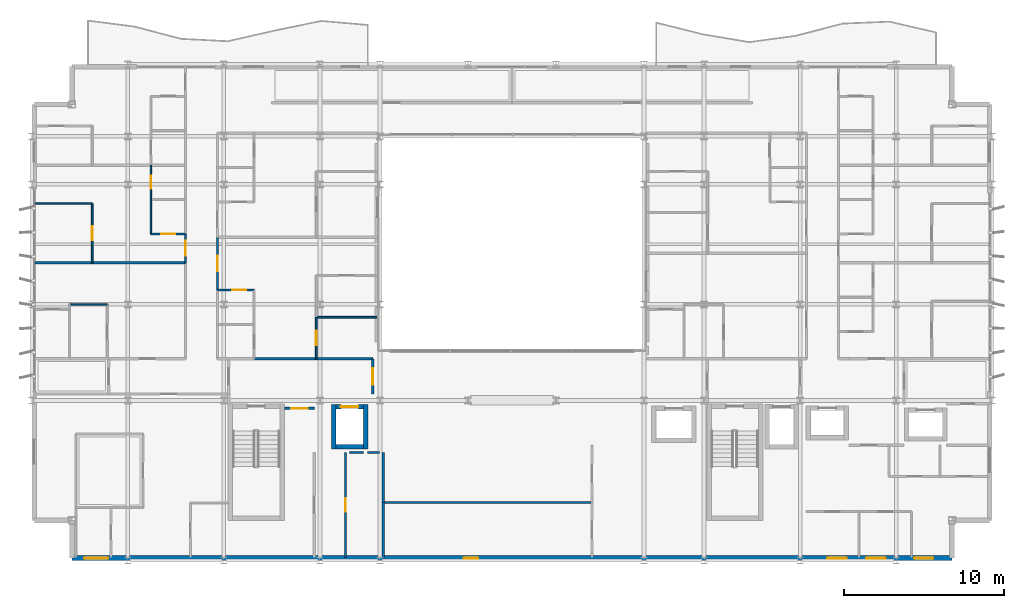
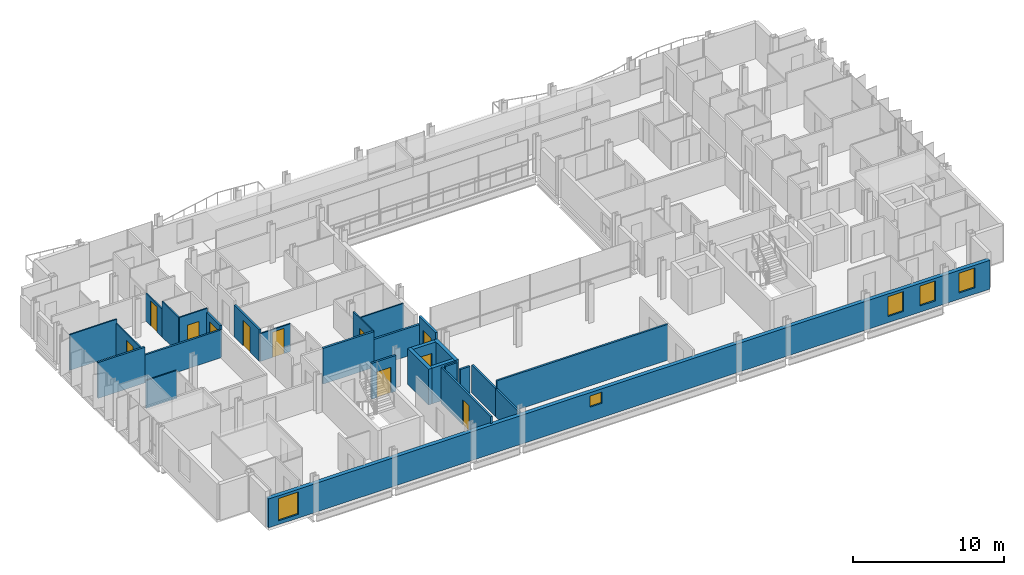
# One storey, part 28 of 39: 28 walls, 11 doors, 5 windows, 16 openings.
"""IFC4 building model written with IfcOpenShell, lengths in metres."""

from ifc_helpers import new_model, si_unit, direction, frame, frame_2d, origin, place, context, subcontext, project, spatial, rectangle, extrude, material, layer, layer_set, type_object, element, fill, save


model = new_model("IFC4")

# Units and contexts
model_context = context("Model", 3, precision=1e-05, world=origin(), true_north=direction((0.0, 1.0)))
body_context = subcontext(model_context, "Body", "Model", "MODEL_VIEW")
ifc_project = project(units=[si_unit("LENGTHUNIT", "METRE"), si_unit("AREAUNIT", "SQUARE_METRE"), si_unit("VOLUMEUNIT", "CUBIC_METRE"), si_unit("PLANEANGLEUNIT", "RADIAN"), si_unit("MASSUNIT", "GRAM", prefix="KILO")], contexts=[model_context])

# Site, building, storey
site_placement = place(None, origin())
site = spatial("IfcSite", under=ifc_project, at=site_placement, CompositionType="ELEMENT")
building_placement = place(site_placement, origin())
building = spatial("IfcBuilding", under=site, at=building_placement, Name="Brevholm Reach", CompositionType="ELEMENT")
storey_placement = place(building_placement, frame((0.0, 0.0, 103.5)))
storey = spatial("IfcBuildingStorey", under=building, at=storey_placement, Name="L30", CompositionType="ELEMENT", Elevation=103.5)

# Walls
ifc_material_1 = material(Name="Concrete C50/60", Category="concrete")
ifc_layer_1 = layer(ifc_material_1, 0.280029296875)
ifc_layer_set_1 = layer_set([ifc_layer_1], Name="Concrete C50/60")
wall_type_1 = type_object("IfcWallType", Name="WAL-COR-280", PredefinedType="SHEAR", material=ifc_layer_set_1)
for number, where, z_axis, x_axis, name in (
    (1, (18.85009765625, 6.9599609375, 0.0), (0.0, 0.0, 1.0), (0.0, 1.0, 0.0), "L30 Lift FFL-1 Shaft Wall W"),
    (2, (20.85009765625, 6.9599609375, 0.0), (0.0, 0.0, 1.0), (0.0, 1.0, 0.0), "L30 Lift FFL-1 Shaft Wall E"),
):
    element("IfcWall", number, at=place(storey_placement, frame(where, z_axis=z_axis, x_axis=x_axis)), inside=storey, type_object=wall_type_1, Name=name, PredefinedType="SHEAR", context=body_context, shape_type="SweptSolid", body=[
        extrude(rectangle(XDim=2.780029296875, YDim=0.280029296875, at=frame_2d((1.39013671875, 0.0))), origin(), (0.0, 0.0, 1.0), 2.8798828125),
    ])
wall_1_placement = place(storey_placement, frame((18.989990234375, 7.10009765625, 0.0), z_axis=(0.0, 0.0, 1.0), x_axis=(1.0, 0.0, 0.0)))
element("IfcWall", 3, at=wall_1_placement, inside=storey, type_object=wall_type_1, Name="L30 Lift FFL-1 Shaft Wall S", PredefinedType="SHEAR", context=body_context, shape_type="SweptSolid", body=[
    extrude(rectangle(XDim=1.719970703125, YDim=0.280029296875, at=frame_2d((0.85986328125, 0.0))), origin(), (0.0, 0.0, 1.0), 2.8798828125),
])

# Wall, opening, door
wall_2_placement = place(storey_placement, frame((18.989990234375, 9.60009765625, 0.0), z_axis=(0.0, 0.0, 1.0), x_axis=(1.0, 0.0, 0.0)))
wall_2 = element("IfcWall", 4, at=wall_2_placement, inside=storey, type_object=wall_type_1, Name="L30 Lift FFL-1 Shaft Wall N", PredefinedType="SHEAR", context=body_context, shape_type="SweptSolid", body=[
    extrude(rectangle(XDim=1.719970703125, YDim=0.280029296875, at=frame_2d((0.85986328125, 0.0))), origin(), (0.0, 0.0, 1.0), 2.8798828125),
])
opening_1_placement = place(wall_2_placement, frame((0.31005859375, 0.0, 0.0)))
opening_1 = element("IfcOpeningElement", 5, at=opening_1_placement, cuts=wall_2, Name="Opening LD-FFL-1", PredefinedType="OPENING", context=body_context, shape_type="SweptSolid", body=[
    extrude(rectangle(XDim=1.10009765625, YDim=2.06005859375, at=frame_2d((0.550048828125, 1.030029296875))), frame((0.0, 0.14990234375, 0.0), z_axis=(0.0, -1.0, 0.0), x_axis=(1.0, 0.0, 0.0)), (0.0, 0.0, 1.0), 0.300048828125),
])
ifc_material_2 = material(Name="Brushed Stainless Steel Fire-Rated Sliding Lift Door", Category="steel")
door_type_1 = type_object("IfcDoorType", Name="DOR-LFT-1100", OperationType="NOTDEFINED", PredefinedType="DOOR", material=ifc_material_2)
door_1_placement = place(opening_1_placement, origin())
door_1 = element("IfcDoor", 6, at=door_1_placement, inside=storey, type_object=door_type_1, Name="L30 Lift FFL-1 Sliding Landing Door", OperationType="SLIDING_TO_RIGHT", OverallHeight=2.06005859375, OverallWidth=1.10009765625, PredefinedType="DOOR", context=body_context, shape_type="SweptSolid", body=[
    extrude(rectangle(XDim=1.10009765625, YDim=2.06005859375, at=frame_2d((0.550048828125, 1.030029296875))), frame((0.0, 0.02490234375, 0.0), z_axis=(0.0, -1.0, 0.0), x_axis=(1.0, 0.0, 0.0)), (0.0, 0.0, 1.0), 0.050048828125),
])
fill(opening_1, door_1)

# Wall, openings, windows
ifc_material_3 = material(Name="Concrete C40/50", Category="concrete")
ifc_layer_2 = layer(ifc_material_3, 0.300048828125)
ifc_layer_set_2 = layer_set([ifc_layer_2], Name="Concrete C40/50")
wall_type_2 = type_object("IfcWallType", Name="WAL-EXT-300", PredefinedType="STANDARD", material=ifc_layer_set_2)
wall_3_placement = place(storey_placement, frame((2.5, 0.14990234375, 0.0), z_axis=(0.0, 0.0, 1.0), x_axis=(1.0, 0.0, 0.0)))
wall_3 = element("IfcWall", 7, at=wall_3_placement, inside=storey, type_object=wall_type_2, Name="L30 Facade Wall WAL-L30-S", PredefinedType="STANDARD", context=body_context, shape_type="SweptSolid", body=[
    extrude(rectangle(XDim=55.0, YDim=0.300048828125, at=frame_2d((27.5, 0.0))), origin(), (0.0, 0.0, 1.0), 2.322021484375),
])
opening_2_placement = place(wall_3_placement, frame((0.76708984375, 0.0, 0.302001953125)))
opening_2 = element("IfcOpeningElement", 8, at=opening_2_placement, cuts=wall_3, Name="Opening WN-05", PredefinedType="OPENING", context=body_context, shape_type="SweptSolid", body=[
    extrude(rectangle(XDim=1.5, YDim=1.800048828125, at=frame_2d((0.75, 0.89990234375))), frame((0.0, 0.159912109375, 0.0), z_axis=(0.0, -1.0, 0.0), x_axis=(1.0, 0.0, 0.0)), (0.0, 0.0, 1.0), 0.320068359375),
])
opening_3_placement = place(wall_3_placement, frame((24.5, 0.0, 1.14990234375)))
opening_3 = element("IfcOpeningElement", 9, at=opening_3_placement, cuts=wall_3, Name="Opening WN-09", PredefinedType="OPENING", context=body_context, shape_type="SweptSolid", body=[
    extrude(rectangle(XDim=0.89990234375, YDim=0.89990234375, at=frame_2d((0.449951171875, 0.449951171875))), frame((0.0, 0.159912109375, 0.0), z_axis=(0.0, -1.0, 0.0), x_axis=(1.0, 0.0, 0.0)), (0.0, 0.0, 1.0), 0.320068359375),
])
opening_4_placement = place(wall_3_placement, frame((47.199951171875, 0.0, 0.501953125)))
opening_4 = element("IfcOpeningElement", 10, at=opening_4_placement, cuts=wall_3, Name="Opening WN-08", PredefinedType="OPENING", context=body_context, shape_type="SweptSolid", body=[
    extrude(rectangle(XDim=1.199951171875, YDim=1.60009765625, at=frame_2d((0.60009765625, 0.800048828125))), frame((0.0, 0.159912109375, 0.0), z_axis=(0.0, -1.0, 0.0), x_axis=(1.0, 0.0, 0.0)), (0.0, 0.0, 1.0), 0.320068359375),
])
opening_5_placement = place(wall_3_placement, frame((52.6298828125, 0.0, 0.501953125)))
opening_5 = element("IfcOpeningElement", 11, at=opening_5_placement, cuts=wall_3, Name="Opening WN-08", PredefinedType="OPENING", context=body_context, shape_type="SweptSolid", body=[
    extrude(rectangle(XDim=1.199951171875, YDim=1.60009765625, at=frame_2d((0.60009765625, 0.800048828125))), frame((0.0, 0.159912109375, 0.0), z_axis=(0.0, -1.0, 0.0), x_axis=(1.0, 0.0, 0.0)), (0.0, 0.0, 1.0), 0.320068359375),
])
opening_6_placement = place(wall_3_placement, frame((49.643310546875, 0.0, 0.501953125)))
opening_6 = element("IfcOpeningElement", 12, at=opening_6_placement, cuts=wall_3, Name="Opening WN-08", PredefinedType="OPENING", context=body_context, shape_type="SweptSolid", body=[
    extrude(rectangle(XDim=1.199951171875, YDim=1.60009765625, at=frame_2d((0.60009765625, 0.800048828125))), frame((0.0, 0.159912109375, 0.0), z_axis=(0.0, -1.0, 0.0), x_axis=(1.0, 0.0, 0.0)), (0.0, 0.0, 1.0), 0.320068359375),
])
ifc_material_4 = material(Name="Dark Anodised Aluminium and Solar-Control IGU Glass", Category="aluminium")
window_type_1 = type_object("IfcWindowType", Name="WIN-POR-0900", PartitioningType="SINGLE_PANEL", PredefinedType="WINDOW", material=ifc_material_4)
window_1_placement = place(opening_3_placement, origin())
window_1 = element("IfcWindow", 13, at=window_1_placement, inside=storey, type_object=window_type_1, Name="L30 Window WIN-L30-S-POR", OverallHeight=0.89990234375, OverallWidth=0.89990234375, PartitioningType="SINGLE_PANEL", PredefinedType="WINDOW", context=body_context, shape_type="SweptSolid", body=[
    extrude(rectangle(XDim=0.89990234375, YDim=0.89990234375, at=frame_2d((0.449951171875, 0.449951171875))), frame((0.0, 0.030029296875, 0.0), z_axis=(0.0, -1.0, 0.0), x_axis=(1.0, 0.0, 0.0)), (0.0, 0.0, 1.0), 0.06005859375),
])
fill(opening_3, window_1)
ifc_material_5 = material(Name="Dark Anodised Aluminium and Solar-Control IGU Glass", Category="aluminium")
window_type_2 = type_object("IfcWindowType", Name="WIN-RES-1200", PartitioningType="SINGLE_PANEL", PredefinedType="WINDOW", material=ifc_material_5)
window_2_placement = place(opening_4_placement, origin())
window_2 = element("IfcWindow", 14, at=window_2_placement, inside=storey, type_object=window_type_2, Name="L30 Window WIN-L30-S-E1", OverallHeight=1.60009765625, OverallWidth=1.199951171875, PartitioningType="SINGLE_PANEL", PredefinedType="WINDOW", context=body_context, shape_type="SweptSolid", body=[
    extrude(rectangle(XDim=1.199951171875, YDim=1.60009765625, at=frame_2d((0.60009765625, 0.800048828125))), frame((0.0, 0.030029296875, 0.0), z_axis=(0.0, -1.0, 0.0), x_axis=(1.0, 0.0, 0.0)), (0.0, 0.0, 1.0), 0.06005859375),
])
fill(opening_4, window_2)
window_3_placement = place(opening_5_placement, origin())
window_3 = element("IfcWindow", 15, at=window_3_placement, inside=storey, type_object=window_type_2, Name="L30 Window WIN-L30-S-E2", OverallHeight=1.60009765625, OverallWidth=1.199951171875, PartitioningType="SINGLE_PANEL", PredefinedType="WINDOW", context=body_context, shape_type="SweptSolid", body=[
    extrude(rectangle(XDim=1.199951171875, YDim=1.60009765625, at=frame_2d((0.60009765625, 0.800048828125))), frame((0.0, 0.030029296875, 0.0), z_axis=(0.0, -1.0, 0.0), x_axis=(1.0, 0.0, 0.0)), (0.0, 0.0, 1.0), 0.06005859375),
])
fill(opening_5, window_3)
window_4_placement = place(opening_6_placement, origin())
window_4 = element("IfcWindow", 16, at=window_4_placement, inside=storey, type_object=window_type_2, Name="L30 Bedroom Window 033", OverallHeight=1.60009765625, OverallWidth=1.199951171875, PartitioningType="SINGLE_PANEL", PredefinedType="WINDOW", context=body_context, shape_type="SweptSolid", body=[
    extrude(rectangle(XDim=1.199951171875, YDim=1.60009765625, at=frame_2d((0.60009765625, 0.800048828125))), frame((0.0, 0.030029296875, 0.0), z_axis=(0.0, -1.0, 0.0), x_axis=(1.0, 0.0, 0.0)), (0.0, 0.0, 1.0), 0.06005859375),
])
fill(opening_6, window_4)
ifc_material_6 = material(Name="Dark Anodised Aluminium and Solar-Control IGU Glass", Category="aluminium")
window_type_3 = type_object("IfcWindowType", Name="WIN-RES-1500", PartitioningType="SINGLE_PANEL", PredefinedType="WINDOW", material=ifc_material_6)
window_5_placement = place(opening_2_placement, origin())
window_5 = element("IfcWindow", 17, at=window_5_placement, inside=storey, type_object=window_type_3, Name="L30 Window WIN-L30-S-W1", OverallHeight=1.800048828125, OverallWidth=1.5, PartitioningType="SINGLE_PANEL", PredefinedType="WINDOW", context=body_context, shape_type="SweptSolid", body=[
    extrude(rectangle(XDim=1.5, YDim=1.800048828125, at=frame_2d((0.75, 0.89990234375))), frame((0.0, 0.030029296875, 0.0), z_axis=(0.0, -1.0, 0.0), x_axis=(1.0, 0.0, 0.0)), (0.0, 0.0, 1.0), 0.06005859375),
])
fill(opening_2, window_5)

# Wall
ifc_material_7 = material(Name="Moisture-Resistant Acoustic Gypsum Stud Partition 100 mm", Category="gypsum")
ifc_layer_3 = layer(ifc_material_7, 0.10009765625)
ifc_layer_set_3 = layer_set([ifc_layer_3], Name="Moisture-Resistant Acoustic Gypsum Stud Partition 100 mm")
wall_type_3 = type_object("IfcWallType", Name="WAL-PRT-100", PredefinedType="PARTITIONING", material=ifc_layer_set_3)
wall_4_placement = place(storey_placement, frame((2.362060546875, 16.0, 0.0), z_axis=(0.0, 0.0, 1.0), x_axis=(1.0, 0.0, 0.0)))
element("IfcWall", 18, at=wall_4_placement, inside=storey, type_object=wall_type_3, Name="L30 Internal Partition 090", PredefinedType="PARTITIONING", context=body_context, shape_type="SweptSolid", body=[
    extrude(rectangle(XDim=2.349853515625, YDim=0.10009765625, at=frame_2d((1.1748046875, 0.0))), origin(), (0.0, 0.0, 1.0), 2.242919921875),
])

# Wall, opening, door
wall_5_placement = place(storey_placement, frame((7.43798828125, 22.550048828125, 0.0), z_axis=(0.0, 0.0, 1.0), x_axis=(0.0, 1.0, 0.0)))
wall_5 = element("IfcWall", 19, at=wall_5_placement, inside=storey, type_object=wall_type_3, Name="L30 Internal Partition 095", PredefinedType="PARTITIONING", context=body_context, shape_type="SweptSolid", body=[
    extrude(rectangle(XDim=2.14990234375, YDim=0.10009765625, at=frame_2d((1.074951171875, 0.0))), origin(), (0.0, 0.0, 1.0), 2.242919921875),
])
opening_7_placement = place(wall_5_placement, frame((0.6650390625, 0.0, 0.0)))
opening_7 = element("IfcOpeningElement", 20, at=opening_7_placement, cuts=wall_5, Name="Opening ID-03", PredefinedType="OPENING", context=body_context, shape_type="SweptSolid", body=[
    extrude(rectangle(XDim=0.820068359375, YDim=2.02001953125, at=frame_2d((0.41015625, 1.010009765625))), frame((0.0, 0.06005859375, 0.0), z_axis=(0.0, -1.0, 0.0), x_axis=(1.0, 0.0, 0.0)), (0.0, 0.0, 1.0), 0.1201171875),
])
ifc_material_8 = material(Name="Moisture-Resistant Painted Timber Internal Bathroom Door", Category="wood")
door_type_2 = type_object("IfcDoorType", Name="DOR-BATH-820", OperationType="NOTDEFINED", PredefinedType="DOOR", material=ifc_material_8)
door_2_placement = place(opening_7_placement, origin())
door_2 = element("IfcDoor", 21, at=door_2_placement, inside=storey, type_object=door_type_2, Name="L30 Internal Door 034", OperationType="SINGLE_SWING_RIGHT", OverallHeight=2.02001953125, OverallWidth=0.820068359375, PredefinedType="DOOR", context=body_context, shape_type="SweptSolid", body=[
    extrude(rectangle(XDim=0.820068359375, YDim=2.02001953125, at=frame_2d((0.41015625, 1.010009765625))), frame((0.0, 0.02490234375, 0.0), z_axis=(0.0, -1.0, 0.0), x_axis=(1.0, 0.0, 0.0)), (0.0, 0.0, 1.0), 0.050048828125),
])
fill(opening_7, door_2)

wall_6_placement = place(storey_placement, frame((7.43798828125, 20.39990234375, 0.0), z_axis=(0.0, 0.0, 1.0), x_axis=(1.0, 0.0, 0.0)))
wall_6 = element("IfcWall", 22, at=wall_6_placement, inside=storey, type_object=wall_type_3, Name="L30 Internal Partition 097", PredefinedType="PARTITIONING", context=body_context, shape_type="SweptSolid", body=[
    extrude(rectangle(XDim=2.157958984375, YDim=0.10009765625, at=frame_2d((1.0791015625, 0.0))), origin(), (0.0, 0.0, 1.0), 2.8798828125),
])
opening_8_placement = place(wall_6_placement, frame((0.638916015625, 0.0, 0.0)))
opening_8 = element("IfcOpeningElement", 23, at=opening_8_placement, cuts=wall_6, Name="Opening ID-01", PredefinedType="OPENING", context=body_context, shape_type="SweptSolid", body=[
    extrude(rectangle(XDim=0.8798828125, YDim=2.0400390625, at=frame_2d((0.43994140625, 1.02001953125))), frame((0.0, 0.06005859375, 0.0), z_axis=(0.0, -1.0, 0.0), x_axis=(1.0, 0.0, 0.0)), (0.0, 0.0, 1.0), 0.1201171875),
])
ifc_material_9 = material(Name="Lacquered Ash Solid-Core Acoustic Internal Door", Category="timber")
door_type_3 = type_object("IfcDoorType", Name="DOR-INT-880", OperationType="NOTDEFINED", PredefinedType="DOOR", material=ifc_material_9)
door_3_placement = place(opening_8_placement, origin())
door_3 = element("IfcDoor", 24, at=door_3_placement, inside=storey, type_object=door_type_3, Name="L30 Internal Door 035", OperationType="SINGLE_SWING_LEFT", OverallHeight=2.0400390625, OverallWidth=0.8798828125, PredefinedType="DOOR", context=body_context, shape_type="SweptSolid", body=[
    extrude(rectangle(XDim=0.8798828125, YDim=2.0400390625, at=frame_2d((0.43994140625, 1.02001953125))), frame((0.0, 0.02490234375, 0.0), z_axis=(0.0, -1.0, 0.0), x_axis=(1.0, 0.0, 0.0)), (0.0, 0.0, 1.0), 0.050048828125),
])
fill(opening_8, door_3)

# Wall
wall_7_placement = place(storey_placement, frame((7.43798828125, 20.39990234375, 0.0), z_axis=(0.0, 0.0, 1.0), x_axis=(0.0, 1.0, 0.0)))
element("IfcWall", 25, at=wall_7_placement, inside=storey, type_object=wall_type_3, Name="L30 Internal Partition 098", PredefinedType="PARTITIONING", context=body_context, shape_type="SweptSolid", body=[
    extrude(rectangle(XDim=2.14599609375, YDim=0.10009765625, at=frame_2d((1.072998046875, 0.0))), origin(), (0.0, 0.0, 1.0), 2.8798828125),
])

# Wall, opening, door
wall_8_placement = place(storey_placement, frame((3.77197265625, 18.60400390625, 0.0), z_axis=(0.0, 0.0, 1.0), x_axis=(0.0, 1.0, 0.0)))
wall_8 = element("IfcWall", 26, at=wall_8_placement, inside=storey, type_object=wall_type_3, Name="L30 Internal Partition 099", PredefinedType="PARTITIONING", context=body_context, shape_type="SweptSolid", body=[
    extrude(rectangle(XDim=3.696044921875, YDim=0.10009765625, at=frame_2d((1.84814453125, 0.0))), origin(), (0.0, 0.0, 1.0), 2.551513671875),
])
opening_9_placement = place(wall_8_placement, frame((1.407958984375, 0.0, 0.0)))
opening_9 = element("IfcOpeningElement", 27, at=opening_9_placement, cuts=wall_8, Name="Opening ID-01", PredefinedType="OPENING", context=body_context, shape_type="SweptSolid", body=[
    extrude(rectangle(XDim=0.8798828125, YDim=2.0400390625, at=frame_2d((0.43994140625, 1.02001953125))), frame((0.0, 0.06005859375, 0.0), z_axis=(0.0, -1.0, 0.0), x_axis=(1.0, 0.0, 0.0)), (0.0, 0.0, 1.0), 0.1201171875),
])
door_4_placement = place(opening_9_placement, origin())
door_4 = element("IfcDoor", 28, at=door_4_placement, inside=storey, type_object=door_type_3, Name="L30 Internal Door 036", OperationType="SINGLE_SWING_RIGHT", OverallHeight=2.0400390625, OverallWidth=0.8798828125, PredefinedType="DOOR", context=body_context, shape_type="SweptSolid", body=[
    extrude(rectangle(XDim=0.8798828125, YDim=2.0400390625, at=frame_2d((0.43994140625, 1.02001953125))), frame((0.0, 0.02490234375, 0.0), z_axis=(0.0, -1.0, 0.0), x_axis=(1.0, 0.0, 0.0)), (0.0, 0.0, 1.0), 0.050048828125),
])
fill(opening_9, door_4)

# Wall
wall_9_placement = place(storey_placement, frame((0.199951171875, 22.300048828125, 0.0), z_axis=(0.0, 0.0, 1.0), x_axis=(1.0, 0.0, 0.0)))
element("IfcWall", 29, at=wall_9_placement, inside=storey, type_object=wall_type_3, Name="L30 Internal Partition 100", PredefinedType="PARTITIONING", context=body_context, shape_type="SweptSolid", body=[
    extrude(rectangle(XDim=3.572021484375, YDim=0.10009765625, at=frame_2d((1.7861328125, 0.0))), origin(), (0.0, 0.0, 1.0), 2.8798828125),
])

# Wall, opening, door
wall_10_placement = place(storey_placement, frame((11.60400390625, 16.89990234375, 0.0), z_axis=(0.0, 0.0, 1.0), x_axis=(1.0, 0.0, 0.0)))
wall_10 = element("IfcWall", 30, at=wall_10_placement, inside=storey, type_object=wall_type_3, Name="L30 Internal Partition 112", PredefinedType="PARTITIONING", context=body_context, shape_type="SweptSolid", body=[
    extrude(rectangle(XDim=2.284912109375, YDim=0.10009765625, at=frame_2d((1.142578125, 0.0))), origin(), (0.0, 0.0, 1.0), 2.242919921875),
])
opening_10_placement = place(wall_10_placement, frame((0.922607421875, 0.0, 0.0)))
opening_10 = element("IfcOpeningElement", 31, at=opening_10_placement, cuts=wall_10, Name="Opening ID-01", PredefinedType="OPENING", context=body_context, shape_type="SweptSolid", body=[
    extrude(rectangle(XDim=0.8798828125, YDim=2.0400390625, at=frame_2d((0.43994140625, 1.02001953125))), frame((0.0, 0.06005859375, 0.0), z_axis=(0.0, -1.0, 0.0), x_axis=(1.0, 0.0, 0.0)), (0.0, 0.0, 1.0), 0.1201171875),
])
door_5_placement = place(opening_10_placement, origin())
door_5 = element("IfcDoor", 32, at=door_5_placement, inside=storey, type_object=door_type_3, Name="L30 Internal Door 041", OperationType="SINGLE_SWING_LEFT", OverallHeight=2.0400390625, OverallWidth=0.8798828125, PredefinedType="DOOR", context=body_context, shape_type="SweptSolid", body=[
    extrude(rectangle(XDim=0.8798828125, YDim=2.0400390625, at=frame_2d((0.43994140625, 1.02001953125))), frame((0.0, 0.02490234375, 0.0), z_axis=(0.0, -1.0, 0.0), x_axis=(1.0, 0.0, 0.0)), (0.0, 0.0, 1.0), 0.050048828125),
])
fill(opening_10, door_5)

# Wall
wall_11_placement = place(storey_placement, frame((17.76904296875, 15.199951171875, 0.0), z_axis=(0.0, 0.0, 1.0), x_axis=(1.0, 0.0, 0.0)))
element("IfcWall", 33, at=wall_11_placement, inside=storey, type_object=wall_type_3, Name="L30 Internal Partition 113", PredefinedType="PARTITIONING", context=body_context, shape_type="SweptSolid", body=[
    extrude(rectangle(XDim=3.781005859375, YDim=0.10009765625, at=frame_2d((1.890625, 0.0))), origin(), (0.0, 0.0, 1.0), 2.242919921875),
])

# Wall, opening, door
wall_12_placement = place(storey_placement, frame((17.76904296875, 12.60400390625, 0.0), z_axis=(0.0, 0.0, 1.0), x_axis=(0.0, 1.0, 0.0)))
wall_12 = element("IfcWall", 34, at=wall_12_placement, inside=storey, type_object=wall_type_3, Name="L30 Internal Partition 114", PredefinedType="PARTITIONING", context=body_context, shape_type="SweptSolid", body=[
    extrude(rectangle(XDim=2.595947265625, YDim=0.10009765625, at=frame_2d((1.2978515625, 0.0))), origin(), (0.0, 0.0, 1.0), 2.8798828125),
])
opening_11_placement = place(wall_12_placement, frame((0.85791015625, 0.0, 0.0)))
opening_11 = element("IfcOpeningElement", 35, at=opening_11_placement, cuts=wall_12, Name="Opening ID-01", PredefinedType="OPENING", context=body_context, shape_type="SweptSolid", body=[
    extrude(rectangle(XDim=0.8798828125, YDim=2.0400390625, at=frame_2d((0.43994140625, 1.02001953125))), frame((0.0, 0.06005859375, 0.0), z_axis=(0.0, -1.0, 0.0), x_axis=(1.0, 0.0, 0.0)), (0.0, 0.0, 1.0), 0.1201171875),
])
door_6_placement = place(opening_11_placement, origin())
door_6 = element("IfcDoor", 36, at=door_6_placement, inside=storey, type_object=door_type_3, Name="L30 Internal Door 042", OperationType="SINGLE_SWING_RIGHT", OverallHeight=2.0400390625, OverallWidth=0.8798828125, PredefinedType="DOOR", context=body_context, shape_type="SweptSolid", body=[
    extrude(rectangle(XDim=0.8798828125, YDim=2.0400390625, at=frame_2d((0.43994140625, 1.02001953125))), frame((0.0, 0.02490234375, 0.0), z_axis=(0.0, -1.0, 0.0), x_axis=(1.0, 0.0, 0.0)), (0.0, 0.0, 1.0), 0.050048828125),
])
fill(opening_11, door_6)

# Walls
ifc_material_10 = material(Name="Twin-Stud Acoustic Fire-Rated Gypsum Partition 140 mm", Category="gypsum")
ifc_layer_4 = layer(ifc_material_10, 0.139892578125)
ifc_layer_set_4 = layer_set([ifc_layer_4], Name="Twin-Stud Acoustic Fire-Rated Gypsum Partition 140 mm")
wall_type_4 = type_object("IfcWallType", Name="WAL-PRT-140", PredefinedType="PARTITIONING", material=ifc_layer_set_4)
wall_13_placement = place(storey_placement, frame((21.949951171875, 3.6201171875, 0.0), z_axis=(0.0, 0.0, 1.0), x_axis=(1.0, 0.0, 0.0)))
element("IfcWall", 37, at=wall_13_placement, inside=storey, type_object=wall_type_4, Name="L30 Internal Partition 003", PredefinedType="PARTITIONING", context=body_context, shape_type="SweptSolid", body=[
    extrude(rectangle(XDim=13.046142578125, YDim=0.139892578125, at=frame_2d((6.52294921875, 0.0))), origin(), (0.0, 0.0, 1.0), 2.8798828125),
])
wall_14_placement = place(storey_placement, frame((21.949951171875, 0.179931640625, 0.0), z_axis=(0.0, 0.0, 1.0), x_axis=(0.0, 1.0, 0.0)))
element("IfcWall", 38, at=wall_14_placement, inside=storey, type_object=wall_type_4, Name="L30 Internal Partition 004", PredefinedType="PARTITIONING", context=body_context, shape_type="SweptSolid", body=[
    extrude(rectangle(XDim=3.440185546875, YDim=0.139892578125, at=frame_2d((1.72021484375, 0.0))), origin(), (0.0, 0.0, 1.0), 2.242919921875),
])
wall_15_placement = place(storey_placement, frame((21.949951171875, 3.6240234375, 0.0), z_axis=(0.0, 0.0, 1.0), x_axis=(0.0, 1.0, 0.0)))
element("IfcWall", 39, at=wall_15_placement, inside=storey, type_object=wall_type_4, Name="L30 Internal Partition 005", PredefinedType="PARTITIONING", context=body_context, shape_type="SweptSolid", body=[
    extrude(rectangle(XDim=3.13720703125, YDim=0.139892578125, at=frame_2d((1.568603515625, 0.0))), origin(), (0.0, 0.0, 1.0), 2.242919921875),
])

# Wall, opening, door
wall_16_placement = place(storey_placement, frame((19.60009765625, 0.179931640625, 0.0), z_axis=(0.0, 0.0, 1.0), x_axis=(0.0, 1.0, 0.0)))
wall_16 = element("IfcWall", 40, at=wall_16_placement, inside=storey, type_object=wall_type_4, Name="L30 Internal Partition 008", PredefinedType="PARTITIONING", context=body_context, shape_type="SweptSolid", body=[
    extrude(rectangle(XDim=6.570068359375, YDim=0.139892578125, at=frame_2d((3.28515625, 0.0))), origin(), (0.0, 0.0, 1.0), 2.8798828125),
])
opening_12_placement = place(wall_16_placement, frame((2.875, 0.0, 0.0)))
opening_12 = element("IfcOpeningElement", 41, at=opening_12_placement, cuts=wall_16, Name="Opening ID-02", PredefinedType="OPENING", context=body_context, shape_type="SweptSolid", body=[
    extrude(rectangle(XDim=0.820068359375, YDim=2.02001953125, at=frame_2d((0.41015625, 1.010009765625))), frame((0.0, 0.079833984375, 0.0), z_axis=(0.0, -1.0, 0.0), x_axis=(1.0, 0.0, 0.0)), (0.0, 0.0, 1.0), 0.159912109375),
])
ifc_material_11 = material(Name="Moisture-Resistant Painted Timber Fire-Rated Riser and Service Door", Category="wood")
door_type_4 = type_object("IfcDoorType", Name="DOR-SRV-820", OperationType="NOTDEFINED", PredefinedType="DOOR", material=ifc_material_11)
door_7_placement = place(opening_12_placement, origin())
door_7 = element("IfcDoor", 42, at=door_7_placement, inside=storey, type_object=door_type_4, Name="L30 Access Door 062", OperationType="SINGLE_SWING_RIGHT", OverallHeight=2.02001953125, OverallWidth=0.820068359375, PredefinedType="DOOR", context=body_context, shape_type="SweptSolid", body=[
    extrude(rectangle(XDim=0.820068359375, YDim=2.02001953125, at=frame_2d((0.41015625, 1.010009765625))), frame((0.0, 0.02490234375, 0.0), z_axis=(0.0, -1.0, 0.0), x_axis=(1.0, 0.0, 0.0)), (0.0, 0.0, 1.0), 0.050048828125),
])
fill(opening_12, door_7)

wall_17_placement = place(storey_placement, frame((9.60009765625, 18.5927734375, 0.0), z_axis=(0.0, 0.0, 1.0), x_axis=(0.0, 1.0, 0.0)))
wall_17 = element("IfcWall", 43, at=wall_17_placement, inside=storey, type_object=wall_type_4, Name="L30 Internal Partition 034", PredefinedType="PARTITIONING", context=body_context, shape_type="SweptSolid", body=[
    extrude(rectangle(XDim=1.814453125, YDim=0.139892578125, at=frame_2d((0.9072265625, 0.0))), origin(), (0.0, 0.0, 1.0), 2.551513671875),
])
opening_13_placement = place(wall_17_placement, frame((0.432373046875, 0.0, 0.0)))
opening_13 = element("IfcOpeningElement", 44, at=opening_13_placement, cuts=wall_17, Name="Opening ID-30", PredefinedType="OPENING", context=body_context, shape_type="SweptSolid", body=[
    extrude(rectangle(XDim=0.949951171875, YDim=2.050048828125, at=frame_2d((0.47509765625, 1.02490234375))), frame((0.0, 0.079833984375, 0.0), z_axis=(0.0, -1.0, 0.0), x_axis=(1.0, 0.0, 0.0)), (0.0, 0.0, 1.0), 0.159912109375),
])
ifc_material_12 = material(Name="European Oak Veneered Solid-Core Fire Entrance Door", Category="timber")
door_type_5 = type_object("IfcDoorType", Name="DOR-FLT-FD30S", OperationType="NOTDEFINED", PredefinedType="DOOR", material=ifc_material_12)
door_8_placement = place(opening_13_placement, origin())
door_8 = element("IfcDoor", 45, at=door_8_placement, inside=storey, type_object=door_type_5, Name="L30 Internal Door 015", OperationType="SINGLE_SWING_LEFT", OverallHeight=2.050048828125, OverallWidth=0.949951171875, PredefinedType="DOOR", context=body_context, shape_type="SweptSolid", body=[
    extrude(rectangle(XDim=0.949951171875, YDim=2.050048828125, at=frame_2d((0.47509765625, 1.02490234375))), frame((0.0, 0.02490234375, 0.0), z_axis=(0.0, -1.0, 0.0), x_axis=(1.0, 0.0, 0.0)), (0.0, 0.0, 1.0), 0.050048828125),
])
fill(opening_13, door_8)

wall_18_placement = place(storey_placement, frame((11.60009765625, 16.892578125, 0.0), z_axis=(0.0, 0.0, 1.0), x_axis=(0.0, 1.0, 0.0)))
wall_18 = element("IfcWall", 46, at=wall_18_placement, inside=storey, type_object=wall_type_4, Name="L30 Internal Partition 040", PredefinedType="PARTITIONING", context=body_context, shape_type="SweptSolid", body=[
    extrude(rectangle(XDim=3.318603515625, YDim=0.139892578125, at=frame_2d((1.6591796875, 0.0))), origin(), (0.0, 0.0, 1.0), 2.551513671875),
])
opening_14_placement = place(wall_18_placement, frame((1.184326171875, 0.0, 0.0)))
opening_14 = element("IfcOpeningElement", 47, at=opening_14_placement, cuts=wall_18, Name="Opening ID-30", PredefinedType="OPENING", context=body_context, shape_type="SweptSolid", body=[
    extrude(rectangle(XDim=0.949951171875, YDim=2.050048828125, at=frame_2d((0.47509765625, 1.02490234375))), frame((0.0, 0.079833984375, 0.0), z_axis=(0.0, -1.0, 0.0), x_axis=(1.0, 0.0, 0.0)), (0.0, 0.0, 1.0), 0.159912109375),
])
door_9_placement = place(opening_14_placement, origin())
door_9 = element("IfcDoor", 48, at=door_9_placement, inside=storey, type_object=door_type_5, Name="L30 Internal Door 017", OperationType="SINGLE_SWING_LEFT", OverallHeight=2.050048828125, OverallWidth=0.949951171875, PredefinedType="DOOR", context=body_context, shape_type="SweptSolid", body=[
    extrude(rectangle(XDim=0.949951171875, YDim=2.050048828125, at=frame_2d((0.47509765625, 1.02490234375))), frame((0.0, 0.02490234375, 0.0), z_axis=(0.0, -1.0, 0.0), x_axis=(1.0, 0.0, 0.0)), (0.0, 0.0, 1.0), 0.050048828125),
])
fill(opening_14, door_9)

# Walls
wall_19_placement = place(storey_placement, frame((0.199951171875, 18.60009765625, 0.0), z_axis=(0.0, 0.0, 1.0), x_axis=(1.0, 0.0, 0.0)))
element("IfcWall", 49, at=wall_19_placement, inside=storey, type_object=wall_type_4, Name="L30 Internal Partition 092", PredefinedType="PARTITIONING", context=body_context, shape_type="SweptSolid", body=[
    extrude(rectangle(XDim=3.583251953125, YDim=0.139892578125, at=frame_2d((1.79150390625, 0.0))), origin(), (0.0, 0.0, 1.0), 2.8798828125),
])
wall_20_placement = place(storey_placement, frame((3.7646484375, 18.60009765625, 0.0), z_axis=(0.0, 0.0, 1.0), x_axis=(1.0, 0.0, 0.0)))
element("IfcWall", 50, at=wall_20_placement, inside=storey, type_object=wall_type_4, Name="L30 Internal Partition 093", PredefinedType="PARTITIONING", context=body_context, shape_type="SweptSolid", body=[
    extrude(rectangle(XDim=5.831298828125, YDim=0.139892578125, at=frame_2d((2.91552734375, 0.0))), origin(), (0.0, 0.0, 1.0), 2.242919921875),
])
wall_21_placement = place(storey_placement, frame((20.9658203125, 6.75, 0.0), z_axis=(0.0, 0.0, 1.0), x_axis=(1.0, 0.0, 0.0)))
element("IfcWall", 51, at=wall_21_placement, inside=storey, type_object=wall_type_4, Name="L30 Internal Partition 165", PredefinedType="PARTITIONING", context=body_context, shape_type="SweptSolid", body=[
    extrude(rectangle(XDim=0.744140625, YDim=0.139892578125, at=frame_2d((0.3720703125, 0.0))), origin(), (0.0, 0.0, 1.0), 2.242919921875),
])
wall_22_placement = place(storey_placement, frame((19.840087890625, 6.75, 0.0), z_axis=(0.0, 0.0, 1.0), x_axis=(1.0, 0.0, 0.0)))
element("IfcWall", 52, at=wall_22_placement, inside=storey, type_object=wall_type_4, Name="L30 Internal Partition 166", PredefinedType="PARTITIONING", context=body_context, shape_type="SweptSolid", body=[
    extrude(rectangle(XDim=0.89404296875, YDim=0.139892578125, at=frame_2d((0.447021484375, 0.0))), origin(), (0.0, 0.0, 1.0), 2.8798828125),
])

# Wall, opening, door
ifc_material_13 = material(Name="Twin-Frame Fire-Rated Gypsum Board and Mineral Wool 160 mm", Category="gypsum")
ifc_layer_5 = layer(ifc_material_13, 0.159912109375)
ifc_layer_set_5 = layer_set([ifc_layer_5], Name="Twin-Frame Fire-Rated Gypsum Board and Mineral Wool 160 mm")
wall_type_5 = type_object("IfcWallType", Name="WAL-PRT-160", PredefinedType="PARTITIONING", material=ifc_layer_set_5)
wall_23_placement = place(storey_placement, frame((15.800048828125, 9.5, 0.0), z_axis=(0.0, 0.0, 1.0), x_axis=(1.0, 0.0, 0.0)))
wall_23 = element("IfcWall", 53, at=wall_23_placement, inside=storey, type_object=wall_type_5, Name="L30 Internal Partition 007", PredefinedType="PARTITIONING", context=body_context, shape_type="SweptSolid", body=[
    extrude(rectangle(XDim=1.849853515625, YDim=0.159912109375, at=frame_2d((0.9248046875, 0.0))), origin(), (0.0, 0.0, 1.0), 2.8798828125),
])
opening_15_placement = place(wall_23_placement, frame((0.39990234375, 0.0, 0.0)))
opening_15 = element("IfcOpeningElement", 54, at=opening_15_placement, cuts=wall_23, Name="Opening FD-01", PredefinedType="OPENING", context=body_context, shape_type="SweptSolid", body=[
    extrude(rectangle(XDim=1.050048828125, YDim=2.06005859375, at=frame_2d((0.52490234375, 1.030029296875))), frame((0.0, 0.08984375, 0.0), z_axis=(0.0, -1.0, 0.0), x_axis=(1.0, 0.0, 0.0)), (0.0, 0.0, 1.0), 0.179931640625),
])
ifc_material_14 = material(Name="Hardwood-Lipped Steel-Core Fire and Smoke Door", Category="steel")
door_type_6 = type_object("IfcDoorType", Name="DOR-INT-FD60S", OperationType="NOTDEFINED", PredefinedType="DOOR", material=ifc_material_14)
door_10_placement = place(opening_15_placement, origin())
door_10 = element("IfcDoor", 55, at=door_10_placement, inside=storey, type_object=door_type_6, Name="L30 Internal Door 004", OperationType="SINGLE_SWING_RIGHT", OverallHeight=2.06005859375, OverallWidth=1.050048828125, PredefinedType="DOOR", context=body_context, shape_type="SweptSolid", body=[
    extrude(rectangle(XDim=1.050048828125, YDim=2.06005859375, at=frame_2d((0.52490234375, 1.030029296875))), frame((0.0, 0.02490234375, 0.0), z_axis=(0.0, -1.0, 0.0), x_axis=(1.0, 0.0, 0.0)), (0.0, 0.0, 1.0), 0.050048828125),
])
fill(opening_15, door_10)

wall_24_placement = place(storey_placement, frame((21.300048828125, 10.388671875, 0.0), z_axis=(0.0, 0.0, 1.0), x_axis=(0.0, 1.0, 0.0)))
wall_24 = element("IfcWall", 56, at=wall_24_placement, inside=storey, type_object=wall_type_5, Name="L30 Internal Partition 014", PredefinedType="PARTITIONING", context=body_context, shape_type="SweptSolid", body=[
    extrude(rectangle(XDim=2.21142578125, YDim=0.159912109375, at=frame_2d((1.105712890625, 0.0))), origin(), (0.0, 0.0, 1.0), 2.8798828125),
])
opening_16_placement = place(wall_24_placement, frame((0.58056640625, 0.0, 0.0)))
opening_16 = element("IfcOpeningElement", 57, at=opening_16_placement, cuts=wall_24, Name="Opening FD-01", PredefinedType="OPENING", context=body_context, shape_type="SweptSolid", body=[
    extrude(rectangle(XDim=1.050048828125, YDim=2.06005859375, at=frame_2d((0.52490234375, 1.030029296875))), frame((0.0, 0.08984375, 0.0), z_axis=(0.0, -1.0, 0.0), x_axis=(1.0, 0.0, 0.0)), (0.0, 0.0, 1.0), 0.179931640625),
])
door_11_placement = place(opening_16_placement, origin())
door_11 = element("IfcDoor", 58, at=door_11_placement, inside=storey, type_object=door_type_6, Name="L30 Internal Door 009", OperationType="SINGLE_SWING_LEFT", OverallHeight=2.06005859375, OverallWidth=1.050048828125, PredefinedType="DOOR", context=body_context, shape_type="SweptSolid", body=[
    extrude(rectangle(XDim=1.050048828125, YDim=2.06005859375, at=frame_2d((0.52490234375, 1.030029296875))), frame((0.0, 0.02490234375, 0.0), z_axis=(0.0, -1.0, 0.0), x_axis=(1.0, 0.0, 0.0)), (0.0, 0.0, 1.0), 0.050048828125),
])
fill(opening_16, door_11)

# Walls
wall_25_placement = place(storey_placement, frame((17.7578125, 12.60009765625, 0.0), z_axis=(0.0, 0.0, 1.0), x_axis=(1.0, 0.0, 0.0)))
element("IfcWall", 59, at=wall_25_placement, inside=storey, type_object=wall_type_5, Name="L30 Internal Partition 017", PredefinedType="PARTITIONING", context=body_context, shape_type="SweptSolid", body=[
    extrude(rectangle(XDim=3.542236328125, YDim=0.159912109375, at=frame_2d((1.77099609375, 0.0))), origin(), (0.0, 0.0, 1.0), 2.242919921875),
])
wall_26_placement = place(storey_placement, frame((13.881591796875, 12.60009765625, 0.0), z_axis=(0.0, 0.0, 1.0), x_axis=(1.0, 0.0, 0.0)))
element("IfcWall", 60, at=wall_26_placement, inside=storey, type_object=wall_type_5, Name="L30 Internal Partition 018", PredefinedType="PARTITIONING", context=body_context, shape_type="SweptSolid", body=[
    extrude(rectangle(XDim=3.894775390625, YDim=0.159912109375, at=frame_2d((1.947265625, 0.0))), origin(), (0.0, 0.0, 1.0), 2.8798828125),
])

save(model, "model.ifc")
